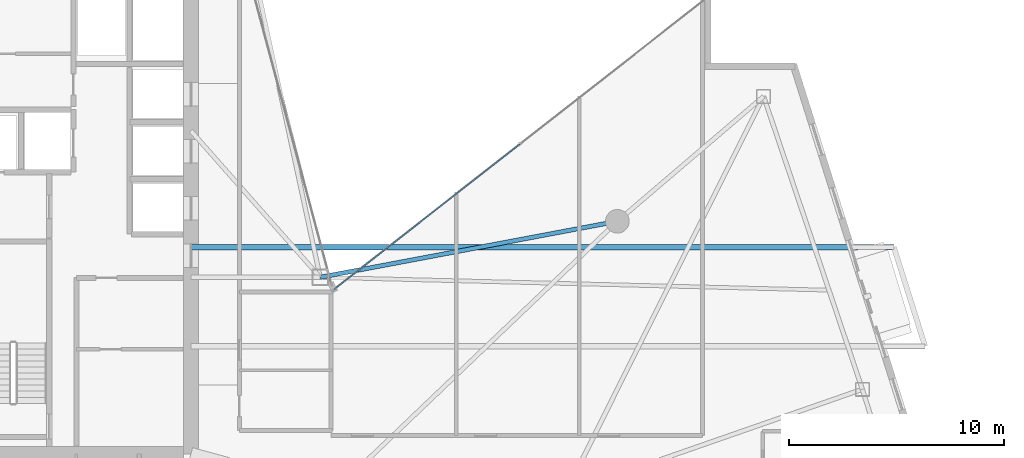
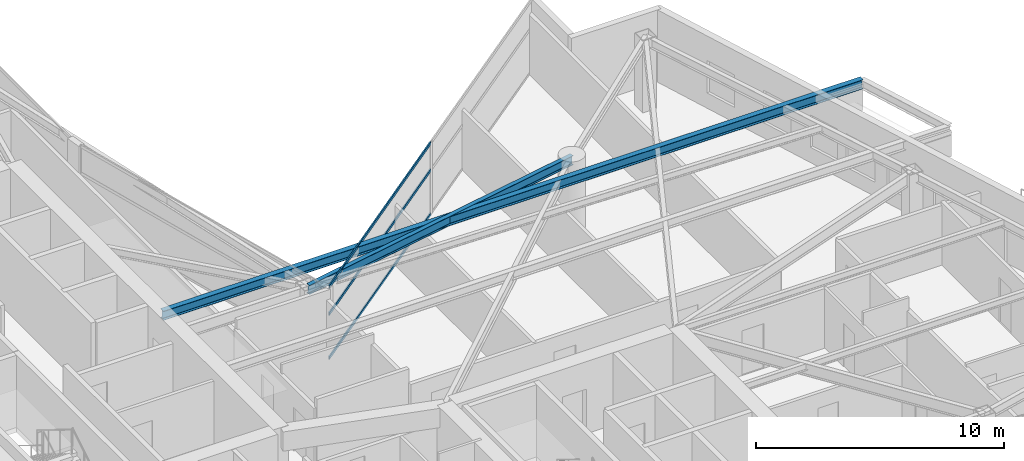
# One storey, part 11 of 30: 3 members, 2 beams, 1 element without a shape of its own.
"""IFC4 building model written with IfcOpenShell, lengths in metres."""

from ifc_helpers import new_model, si_unit, direction, frame, origin, origin_2d, place, context, subcontext, project, spatial, hollow_rectangle, i_section, extrude, material, layer, layer_set, material_profile, profile_set, type_object, element, aggregate, save


model = new_model("IFC4")

# Units and contexts
model_context = context("Model", 3, precision=1e-05, world=origin(), true_north=direction((0.0, 1.0)))
body_context = subcontext(model_context, "Body", "Model", "MODEL_VIEW")
ifc_project = project(units=[si_unit("LENGTHUNIT", "METRE"), si_unit("AREAUNIT", "SQUARE_METRE"), si_unit("VOLUMEUNIT", "CUBIC_METRE"), si_unit("PLANEANGLEUNIT", "RADIAN"), si_unit("MASSUNIT", "GRAM", prefix="KILO")], contexts=[model_context])

# Site, building, storey
site_placement = place(None, origin())
site = spatial("IfcSite", under=ifc_project, at=site_placement, CompositionType="ELEMENT")
building_placement = place(site_placement, origin())
building = spatial("IfcBuilding", under=site, at=building_placement, Name="Calvorn Quay Hotel", CompositionType="ELEMENT")
storey_placement = place(building_placement, frame((0.0, 0.0, 203.39990234375)))
storey = spatial("IfcBuildingStorey", under=building, at=storey_placement, Name="L50", CompositionType="ELEMENT", Elevation=203.39990234375)

# Beams
ifc_material_1 = material(Name="Steel Q355B", Category="steel")
ifc_material_profile_1 = material_profile(ifc_material_1, i_section(OverallWidth=0.25, OverallDepth=0.449951171875, WebThickness=0.011962890625, FlangeThickness=0.01611328125, FilletRadius=0.01611328125, at=origin_2d()), Name="HN450x250x12x16")
ifc_profile_set_1 = profile_set([ifc_material_profile_1], Name="Steel Q355B")
beam_type_1 = type_object("IfcBeamType", Name="BM-CANT-BALC", PredefinedType="BEAM", material=ifc_profile_set_1)
beam_1_placement = place(storey_placement, frame((15.0, 26.39990234375, 3.315185546875), z_axis=(1.0, 0.0, 0.0), x_axis=(0.0, 1.0, 0.0)))
element("IfcBeam", 1, at=beam_1_placement, inside=storey, type_object=beam_type_1, Name="Cantilever Balcony Beam BCB-L51-1B", PredefinedType="BEAM", context=body_context, shape_type="SweptSolid", body=[
    extrude(i_section(OverallWidth=0.25, OverallDepth=0.449951171875, WebThickness=0.011962890625, FlangeThickness=0.01611328125, FilletRadius=0.01611328125, at=origin_2d()), origin(), (0.0, 0.0, 1.0), 32.636962890625),
])
ifc_material_2 = material(Name="Steel Q355B", Category="steel")
ifc_material_profile_2 = material_profile(ifc_material_2, i_section(OverallWidth=0.199951171875, OverallDepth=0.449951171875, WebThickness=0.009033203125, FlangeThickness=0.013916015625, FilletRadius=0.01611328125, at=origin_2d()), Name="HN450x200x9x14")
ifc_profile_set_2 = profile_set([ifc_material_profile_2], Name="Steel Q355B")
beam_type_2 = type_object("IfcBeamType", Name="BM-SPANDREL-Z3", PredefinedType="SPANDREL", material=ifc_profile_set_2)
beam_2_placement = place(storey_placement, frame((34.800048828125, 27.60009765625, 3.315185546875), z_axis=(-0.982709432406, -0.185154452988, 0.0), x_axis=(0.185154452988, -0.982709432406, 0.0)))
element("IfcBeam", 2, at=beam_2_placement, inside=storey, type_object=beam_type_2, Name="Beam BSP-L50-E4", PredefinedType="SPANDREL", context=body_context, shape_type="SweptSolid", body=[
    extrude(i_section(OverallWidth=0.199951171875, OverallDepth=0.449951171875, WebThickness=0.009033203125, FlangeThickness=0.013916015625, FilletRadius=0.01611328125, at=origin_2d()), origin(), (0.0, 0.0, 1.0), 14.04296875),
])

# Curtain wall, members
ifc_material_3 = material(Name="Champagne Bronze Anodised Aluminium and Low-E Glass", Category="aluminium")
ifc_layer = layer(ifc_material_3, 0.219970703125)
ifc_layer_set = layer_set([ifc_layer], Name="CW-SYS-Z3")
curtain_wall_type = type_object("IfcCurtainWallType", Name="CW-SYS-Z3", PredefinedType="NOTDEFINED", material=ifc_layer_set)
curtain_wall_placement = place(storey_placement, origin())
curtain_wall = element("IfcCurtainWall", 3, at=curtain_wall_placement, inside=storey, type_object=curtain_wall_type, Name="Inner Court Curtain Wall L50-NE1", PredefinedType="NOTDEFINED")
ifc_material_4 = material(Name="Champagne Bronze Anodised Aluminium 6063-T6", Category="aluminium")
ifc_material_profile_3 = material_profile(ifc_material_4, hollow_rectangle(XDim=0.05810546875, YDim=0.139892578125, WallThickness=0.003173828125, at=origin_2d()), Name="ALU-T140x58x3.2")
ifc_profile_set_3 = profile_set([ifc_material_profile_3], Name="Champagne Bronze Anodised Aluminium 6063-T6")
member_type = type_object("IfcMemberType", Name="CW-SYS-Z3-TRN", PredefinedType="USERDEFINED", material=ifc_profile_set_3)
member_1_placement = place(storey_placement, frame((30.2763671875, 31.181640625, 0.030029296875), z_axis=(-0.787886807538, -0.615820086152, 0.0), x_axis=(0.615820086152, -0.787886807538, 0.0)))
member_1 = element("IfcMember", 4, at=member_1_placement, type_object=member_type, Name="CW-L50-NE1 transom 2.1", ObjectType="TRANSOM", PredefinedType="USERDEFINED", context=body_context, shape_type="SweptSolid", body=[
    extrude(hollow_rectangle(XDim=0.05810546875, YDim=0.139892578125, WallThickness=0.003173828125, at=origin_2d()), origin(), (0.0, 0.0, 1.0), 10.952392578125),
])
member_2_placement = place(storey_placement, frame((30.2763671875, 31.181640625, 2.2001953125), z_axis=(-0.787886807538, -0.615820086152, 0.0), x_axis=(0.615820086152, -0.787886807538, 0.0)))
member_2 = element("IfcMember", 5, at=member_2_placement, type_object=member_type, Name="CW-L50-NE1 transom 2.2", ObjectType="TRANSOM", PredefinedType="USERDEFINED", context=body_context, shape_type="SweptSolid", body=[
    extrude(hollow_rectangle(XDim=0.05810546875, YDim=0.139892578125, WallThickness=0.003173828125, at=origin_2d()), origin(), (0.0, 0.0, 1.0), 10.952392578125),
])
member_3_placement = place(storey_placement, frame((30.2763671875, 31.181640625, 3.530029296875), z_axis=(-0.787886807538, -0.615820086152, 0.0), x_axis=(0.615820086152, -0.787886807538, 0.0)))
member_3 = element("IfcMember", 6, at=member_3_placement, type_object=member_type, Name="CW-L50-NE1 transom 2.3", ObjectType="TRANSOM", PredefinedType="USERDEFINED", context=body_context, shape_type="SweptSolid", body=[
    extrude(hollow_rectangle(XDim=0.05810546875, YDim=0.139892578125, WallThickness=0.003173828125, at=origin_2d()), origin(), (0.0, 0.0, 1.0), 10.952392578125),
])
aggregate(curtain_wall, [member_1, member_2, member_3])

save(model, "model.ifc")
